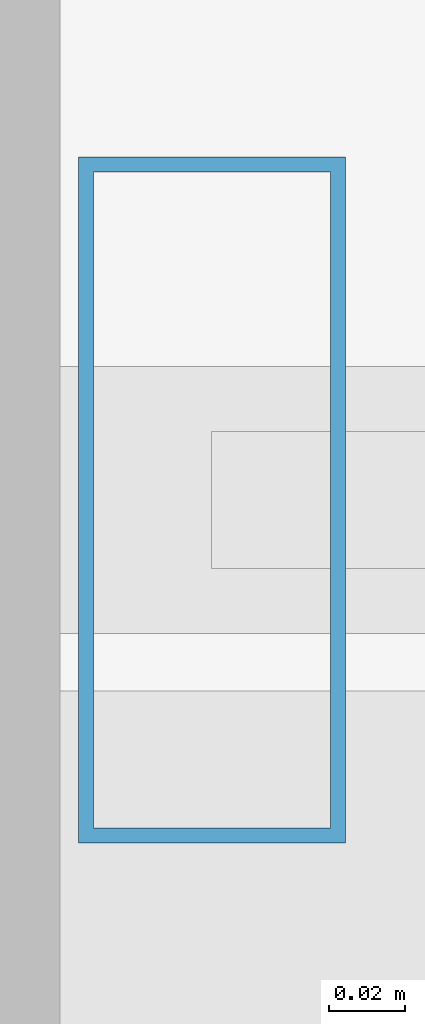
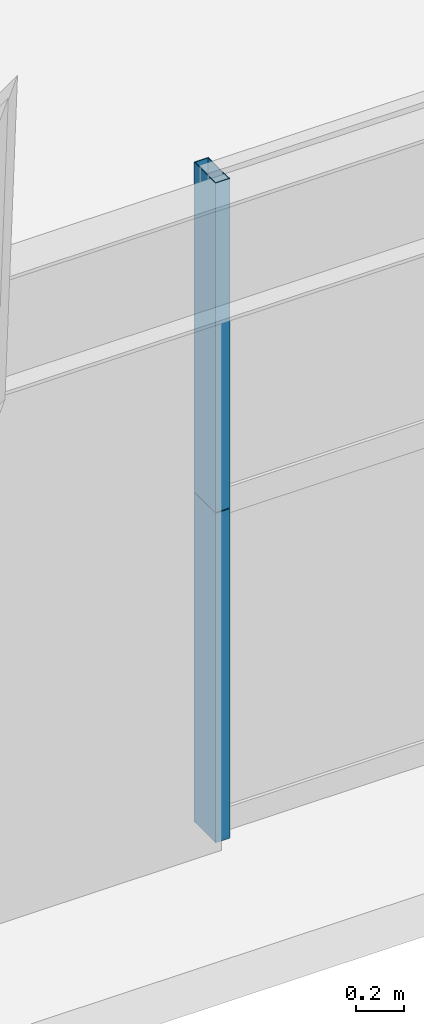
# One storey, part 3 of 41: 2 members, 1 element without a shape of its own.
"""IFC4 building model written with IfcOpenShell, lengths in metres."""

from ifc_helpers import new_model, si_unit, direction, frame, origin, origin_2d, place, context, subcontext, project, spatial, hollow_rectangle, extrude, source, transform, mapped, material, layer, layer_set, material_profile, profile_set, type_object, element, aggregate, save


model = new_model("IFC4")

# Units and contexts
model_context = context("Model", 3, precision=1e-05, world=origin(), true_north=direction((0.0, 1.0)))
body_context = subcontext(model_context, "Body", "Model", "MODEL_VIEW")
ifc_project = project(units=[si_unit("LENGTHUNIT", "METRE"), si_unit("AREAUNIT", "SQUARE_METRE"), si_unit("VOLUMEUNIT", "CUBIC_METRE"), si_unit("PLANEANGLEUNIT", "RADIAN"), si_unit("MASSUNIT", "GRAM", prefix="KILO"), si_unit("THERMODYNAMICTEMPERATUREUNIT", "KELVIN"), si_unit("POWERUNIT", "WATT")], contexts=[model_context])

# Site, building, storey
site_placement = place(None, origin())
site = spatial("IfcSite", under=ifc_project, at=site_placement, CompositionType="ELEMENT")
building_placement = place(site_placement, origin())
building = spatial("IfcBuilding", under=site, at=building_placement, Name="Yuzanri Waterfront Tower", CompositionType="ELEMENT")
storey_placement = place(building_placement, frame((0.0, 0.0, 115.39990234375)))
storey = spatial("IfcBuildingStorey", under=building, at=storey_placement, Name="L30", CompositionType="ELEMENT", Elevation=115.39990234375)

# Curtain wall, members
ifc_material_1 = material(Name="Anodized Architectural Bronze", Category="metal")
ifc_layer = layer(ifc_material_1, 0.159912109375)
ifc_layer_set = layer_set([ifc_layer], Name="Anodized Architectural Bronze")
curtain_wall_type = type_object("IfcCurtainWallType", Name="Anodized Bronze Hotel Upper-Tier Solar-Control Unitized Curtain Wall 7800", PredefinedType="NOTDEFINED", material=ifc_layer_set)
curtain_wall_placement = place(storey_placement, origin())
curtain_wall = element("IfcCurtainWall", 1, at=curtain_wall_placement, inside=storey, type_object=curtain_wall_type, Name="L30 Curtain Wall CW-L30-SL", PredefinedType="NOTDEFINED")
ifc_material_2 = material(Name="Anodized Architectural Bronze", Category="metal")
ifc_material_profile = material_profile(ifc_material_2, hollow_rectangle(XDim=0.070068359375, YDim=0.179931640625, WallThickness=0.00390625, at=origin_2d()), Name="CWM 70x180")
ifc_profile_set = profile_set([ifc_material_profile], Name="Anodized Architectural Bronze")
member_type = type_object("IfcMemberType", Name="Anodized Bronze Standard Curtain-Wall Mullion 70x180", PredefinedType="MULLION", material=ifc_profile_set)
shared_shape = source(origin(), body_context, "Body", "SweptSolid", [
    extrude(hollow_rectangle(XDim=0.070068359375, YDim=0.179931640625, WallThickness=0.00390625, at=origin_2d()), origin(), (0.0, 0.0, 1.0), 1.68798828125),
])
member_1_placement = place(storey_placement, frame((20.7900390625, 2.35009765625, 0.0), z_axis=(0.0, 0.0, 1.0), x_axis=(1.0, 0.0, 0.0)))
member_1 = element("IfcMember", 2, at=member_1_placement, type_object=member_type, Name="CW-L30-SL Lower Mullion 00", PredefinedType="MULLION", context=body_context, shape_type="MappedRepresentation", body=[
    mapped(shared_shape, transform((0.0, 0.0, 0.0), scale=1.0)),
])
member_2_placement = place(storey_placement, frame((20.7900390625, 2.35009765625, 1.692138671875), z_axis=(0.0, 0.0, 1.0), x_axis=(1.0, 0.0, 0.0)))
member_2 = element("IfcMember", 3, at=member_2_placement, type_object=member_type, Name="CW-L30-SL Upper Mullion 00", PredefinedType="MULLION", context=body_context, shape_type="MappedRepresentation", body=[
    mapped(shared_shape, transform((0.0, 0.0, 0.0), scale=1.0)),
])
aggregate(curtain_wall, [member_1, member_2])

save(model, "model.ifc")
